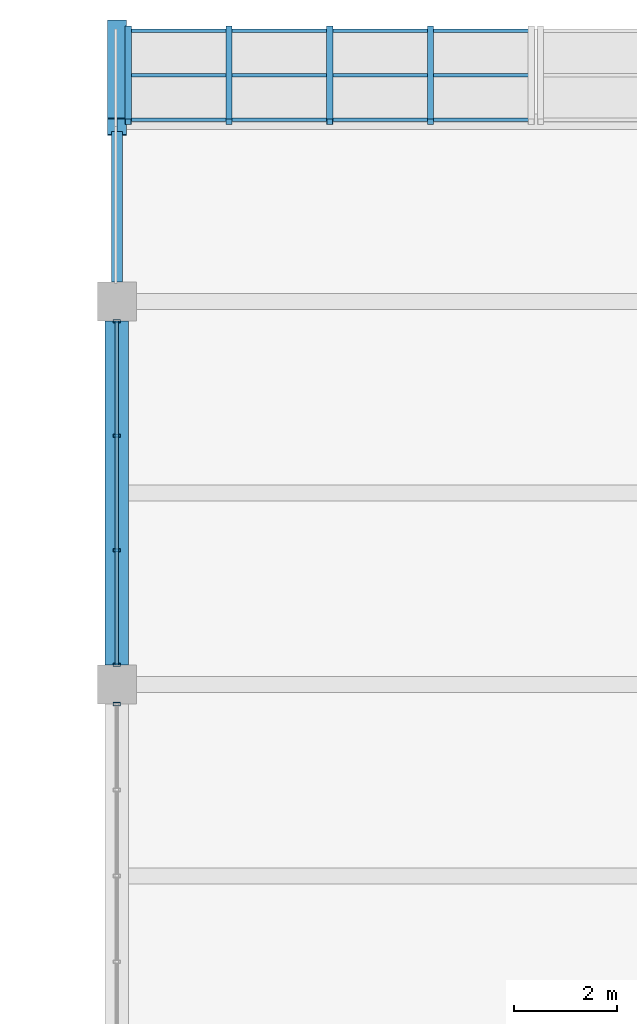
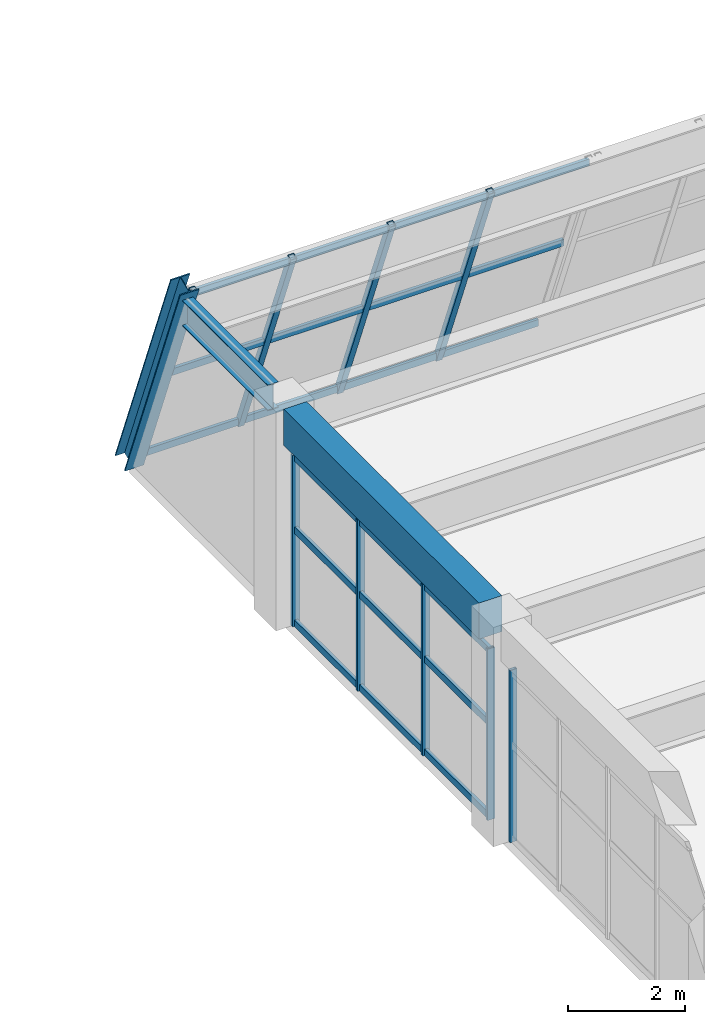
# One storey, part 102 of 161: 16 members, 2 beams, 3 elements without a shape of their own.
"""IFC4 building model written with IfcOpenShell, lengths in metres."""

from ifc_helpers import new_model, si_unit, direction, frame, origin, origin_2d, place, context, subcontext, project, spatial, rectangle, hollow_rectangle, i_section, extrude, material, material_profile, profile_set, type_object, element, aggregate, save


model = new_model("IFC4")

# Units and contexts
model_context = context("Model", 3, precision=1e-05, world=origin(), true_north=direction((0.0, 1.0)))
body_context = subcontext(model_context, "Body", "Model", "MODEL_VIEW")
ifc_project = project(units=[si_unit("LENGTHUNIT", "METRE"), si_unit("AREAUNIT", "SQUARE_METRE"), si_unit("VOLUMEUNIT", "CUBIC_METRE"), si_unit("PLANEANGLEUNIT", "RADIAN"), si_unit("MASSUNIT", "GRAM", prefix="KILO")], contexts=[model_context])

# Site, building, storey
site_placement = place(None, origin())
site = spatial("IfcSite", under=ifc_project, at=site_placement, CompositionType="ELEMENT")
building_placement = place(site_placement, origin())
building = spatial("IfcBuilding", under=site, at=building_placement, Name="Cimatlan Art Gallery", CompositionType="ELEMENT")
storey_placement = place(building_placement, frame((0.0, 0.0, 5.39990234375)))
storey = spatial("IfcBuildingStorey", under=building, at=storey_placement, Name="L01", CompositionType="ELEMENT", Elevation=5.39990234375)

# Beams
ifc_material_1 = material(Name="Concrete C40/50", Category="concrete")
ifc_material_profile_1 = material_profile(ifc_material_1, rectangle(XDim=0.449951171875, YDim=0.75, at=origin_2d()), Name="RC450X750")
ifc_profile_set_1 = profile_set([ifc_material_profile_1], Name="Concrete C40/50")
beam_type_1 = type_object("IfcBeamType", Name="BM-RC-450X750", PredefinedType="BEAM", material=ifc_profile_set_1)
beam_1_placement = place(storey_placement, frame((74.89990234375, 98.27490234375, 4.18505859375), z_axis=(0.0, 1.0, 0.0), x_axis=(-1.0, 0.0, 0.0)))
element("IfcBeam", 1, at=beam_1_placement, inside=storey, type_object=beam_type_1, Name="BM-Y-L01-09-13", PredefinedType="BEAM", context=body_context, shape_type="SweptSolid", body=[
    extrude(rectangle(XDim=0.449951171875, YDim=0.75, at=origin_2d()), origin(), (0.0, 0.0, 1.0), 6.650146484375),
])
ifc_material_2 = material(Name="Steel ASTM A992 Grade 50", Category="steel")
ifc_material_profile_2 = material_profile(ifc_material_2, i_section(OverallWidth=0.2099609375, OverallDepth=0.532958984375, WebThickness=0.01025390625, FlangeThickness=0.015625, at=origin_2d()), Name="W21X62")
ifc_profile_set_2 = profile_set([ifc_material_profile_2], Name="Steel ASTM A992 Grade 50")
beam_type_2 = type_object("IfcBeamType", Name="BM-STL-W21X62", PredefinedType="BEAM", material=ifc_profile_set_2)
beam_2_placement = place(storey_placement, frame((74.89990234375, 105.675048828125, 4.293701171875), z_axis=(0.0, 1.0, 0.0), x_axis=(-1.0, 0.0, 0.0)))
element("IfcBeam", 2, at=beam_2_placement, inside=storey, type_object=beam_type_2, Name="BM-PRW-Y-L01-B3-9", PredefinedType="BEAM", context=body_context, shape_type="SweptSolid", body=[
    extrude(i_section(OverallWidth=0.2099609375, OverallDepth=0.532958984375, WebThickness=0.01025390625, FlangeThickness=0.015625, at=origin_2d()), origin(), (0.0, 0.0, 1.0), 2.91162109375),
])

# Curtain wall, member
ifc_material_3 = material(Name="Anodised bronze unitised curtain wall")
curtain_wall_type_1 = type_object("IfcCurtainWallType", Name="CW-V-06642X03577-B4", PredefinedType="NOTDEFINED", material=ifc_material_3)
curtain_wall_1_placement = place(storey_placement, origin())
curtain_wall_1 = element("IfcCurtainWall", 3, at=curtain_wall_1_placement, inside=storey, type_object=curtain_wall_type_1, Name="CW-L01-09-12-W", PredefinedType="NOTDEFINED")
ifc_material_4 = material(Name="Anodised bronze aluminium 6063-T6", Category="aluminium")
ifc_material_profile_3 = material_profile(ifc_material_4, hollow_rectangle(XDim=0.06494140625, YDim=0.139892578125, WallThickness=0.00390625, at=origin_2d()), Name="ALU65X140X4")
ifc_profile_set_3 = profile_set([ifc_material_profile_3], Name="Anodised bronze aluminium 6063-T6")
member_type_1 = type_object("IfcMemberType", Name="CW-MUL-140", PredefinedType="MULLION", material=ifc_profile_set_3)
member_1_placement = place(storey_placement, frame((74.89990234375, 97.52099609375, 0.0), z_axis=(0.0, 0.0, 1.0), x_axis=(0.0, 1.0, 0.0)))
member_1 = element("IfcMember", 4, at=member_1_placement, type_object=member_type_1, Name="CW-L01-09-12-W-M5", PredefinedType="MULLION", context=body_context, shape_type="SweptSolid", body=[
    extrude(hollow_rectangle(XDim=0.06494140625, YDim=0.139892578125, WallThickness=0.00390625, at=origin_2d()), origin(), (0.0, 0.0, 1.0), 3.5771484375),
])
aggregate(curtain_wall_1, [member_1])

# Curtain wall, members
curtain_wall_type_2 = type_object("IfcCurtainWallType", Name="CW-V-06642X03562-B3", PredefinedType="NOTDEFINED", material=ifc_material_3)
curtain_wall_2_placement = place(storey_placement, origin())
curtain_wall_2 = element("IfcCurtainWall", 5, at=curtain_wall_2_placement, inside=storey, type_object=curtain_wall_type_2, Name="CW-L01-09-13-W", PredefinedType="NOTDEFINED")
member_2_placement = place(storey_placement, frame((74.89990234375, 98.279052734375, 0.0), z_axis=(0.0, 0.0, 1.0), x_axis=(0.0, 1.0, 0.0)))
member_2 = element("IfcMember", 6, at=member_2_placement, type_object=member_type_1, Name="CW-L01-09-13-W-M1", PredefinedType="MULLION", context=body_context, shape_type="SweptSolid", body=[
    extrude(hollow_rectangle(XDim=0.06494140625, YDim=0.139892578125, WallThickness=0.00390625, at=origin_2d()), origin(), (0.0, 0.0, 1.0), 3.56201171875),
])
member_3_placement = place(storey_placement, frame((74.89990234375, 100.492919921875, 0.0), z_axis=(0.0, 0.0, 1.0), x_axis=(0.0, 1.0, 0.0)))
member_3 = element("IfcMember", 7, at=member_3_placement, type_object=member_type_1, Name="CW-L01-09-13-W-M2", PredefinedType="MULLION", context=body_context, shape_type="SweptSolid", body=[
    extrude(hollow_rectangle(XDim=0.06494140625, YDim=0.139892578125, WallThickness=0.00390625, at=origin_2d()), origin(), (0.0, 0.0, 1.0), 3.56201171875),
])
member_4_placement = place(storey_placement, frame((74.89990234375, 102.70703125, 0.0), z_axis=(0.0, 0.0, 1.0), x_axis=(0.0, 1.0, 0.0)))
member_4 = element("IfcMember", 8, at=member_4_placement, type_object=member_type_1, Name="CW-L01-09-13-W-M3", PredefinedType="MULLION", context=body_context, shape_type="SweptSolid", body=[
    extrude(hollow_rectangle(XDim=0.06494140625, YDim=0.139892578125, WallThickness=0.00390625, at=origin_2d()), origin(), (0.0, 0.0, 1.0), 3.56201171875),
])
member_5_placement = place(storey_placement, frame((74.89990234375, 104.9208984375, 0.0), z_axis=(0.0, 0.0, 1.0), x_axis=(0.0, 1.0, 0.0)))
member_5 = element("IfcMember", 9, at=member_5_placement, type_object=member_type_1, Name="CW-L01-09-13-W-M4", PredefinedType="MULLION", context=body_context, shape_type="SweptSolid", body=[
    extrude(hollow_rectangle(XDim=0.06494140625, YDim=0.139892578125, WallThickness=0.00390625, at=origin_2d()), origin(), (0.0, 0.0, 1.0), 3.56201171875),
])

ifc_material_5 = material(Name="Raked steel-and-bronze lancet curtain wall", Category="steel")
curtain_wall_type_3 = type_object("IfcCurtainWallType", Name="CW-RAK-07790X04901-B4", PredefinedType="NOTDEFINED", material=ifc_material_5)
curtain_wall_3_placement = place(storey_placement, origin())
curtain_wall_3 = element("IfcCurtainWall", 10, at=curtain_wall_3_placement, inside=storey, type_object=curtain_wall_type_3, Name="CW-PROW-L01-B3-9", PredefinedType="NOTDEFINED")
ifc_material_6 = material(Name="Steel ASTM A500 Grade C", Category="steel")
ifc_material_profile_4 = material_profile(ifc_material_6, hollow_rectangle(XDim=0.1201171875, YDim=0.1201171875, WallThickness=0.00634765625, at=origin_2d()), Name="HSS120X120X6")
ifc_profile_set_4 = profile_set([ifc_material_profile_4], Name="Steel ASTM A500 Grade C")
member_type_2 = type_object("IfcMemberType", Name="CW-MUL-RAK", PredefinedType="MULLION", material=ifc_profile_set_4)
member_6_placement = place(storey_placement, frame((75.1201171875, 110.572998046875, 0.0), z_axis=(0.0, -0.366524518382, 0.930408392817), x_axis=(1.0, 0.0, 0.0)))
member_6 = element("IfcMember", 11, at=member_6_placement, type_object=member_type_2, Name="CW-PROW-L01-B3-9-M1", PredefinedType="MULLION", context=body_context, shape_type="SweptSolid", body=[
    extrude(hollow_rectangle(XDim=0.1201171875, YDim=0.1201171875, WallThickness=0.00634765625, at=origin_2d()), origin(), (0.0, 0.0, 1.0), 4.901123046875),
])
member_7_placement = place(storey_placement, frame((77.0673828125, 110.572998046875, 0.0), z_axis=(0.0, -0.366524518382, 0.930408392817), x_axis=(1.0, 0.0, 0.0)))
member_7 = element("IfcMember", 12, at=member_7_placement, type_object=member_type_2, Name="CW-PROW-L01-B3-9-M2", PredefinedType="MULLION", context=body_context, shape_type="SweptSolid", body=[
    extrude(hollow_rectangle(XDim=0.1201171875, YDim=0.1201171875, WallThickness=0.00634765625, at=origin_2d()), origin(), (0.0, 0.0, 1.0), 4.901123046875),
])
member_8_placement = place(storey_placement, frame((79.014892578125, 110.572998046875, 0.0), z_axis=(0.0, -0.366524518382, 0.930408392817), x_axis=(1.0, 0.0, 0.0)))
member_8 = element("IfcMember", 13, at=member_8_placement, type_object=member_type_2, Name="CW-PROW-L01-B3-9-M3", PredefinedType="MULLION", context=body_context, shape_type="SweptSolid", body=[
    extrude(hollow_rectangle(XDim=0.1201171875, YDim=0.1201171875, WallThickness=0.00634765625, at=origin_2d()), origin(), (0.0, 0.0, 1.0), 4.901123046875),
])
member_9_placement = place(storey_placement, frame((80.96240234375, 110.572998046875, 0.0), z_axis=(0.0, -0.366524518382, 0.930408392817), x_axis=(1.0, 0.0, 0.0)))
member_9 = element("IfcMember", 14, at=member_9_placement, type_object=member_type_2, Name="CW-PROW-L01-B3-9-M4", PredefinedType="MULLION", context=body_context, shape_type="SweptSolid", body=[
    extrude(hollow_rectangle(XDim=0.1201171875, YDim=0.1201171875, WallThickness=0.00634765625, at=origin_2d()), origin(), (0.0, 0.0, 1.0), 4.901123046875),
])
ifc_material_profile_5 = material_profile(ifc_material_4, hollow_rectangle(XDim=0.06494140625, YDim=0.139892578125, WallThickness=0.00390625, at=origin_2d()), Name="ALU65X140X4")
ifc_profile_set_5 = profile_set([ifc_material_profile_5], Name="Anodised bronze aluminium 6063-T6")
member_type_3 = type_object("IfcMemberType", Name="CW-TRN-140", PredefinedType="USERDEFINED", material=ifc_profile_set_5)
member_10_placement = place(storey_placement, frame((75.1201171875, 110.537109375, 0.09130859375), z_axis=(1.0, 0.0, 0.0), x_axis=(0.0, 1.0, 0.0)))
member_10 = element("IfcMember", 15, at=member_10_placement, type_object=member_type_3, Name="CW-PROW-L01-B3-9-T1", ObjectType="TRANSOM", PredefinedType="USERDEFINED", context=body_context, shape_type="SweptSolid", body=[
    extrude(hollow_rectangle(XDim=0.06494140625, YDim=0.139892578125, WallThickness=0.00390625, at=origin_2d()), origin(), (0.0, 0.0, 1.0), 7.789794921875),
])
member_11_placement = place(storey_placement, frame((75.1201171875, 109.6748046875, 2.280029296875), z_axis=(1.0, 0.0, 0.0), x_axis=(0.0, 1.0, 0.0)))
member_11 = element("IfcMember", 16, at=member_11_placement, type_object=member_type_3, Name="CW-PROW-L01-B3-9-T2", ObjectType="TRANSOM", PredefinedType="USERDEFINED", context=body_context, shape_type="SweptSolid", body=[
    extrude(hollow_rectangle(XDim=0.06494140625, YDim=0.139892578125, WallThickness=0.00390625, at=origin_2d()), origin(), (0.0, 0.0, 1.0), 7.789794921875),
])
member_12_placement = place(storey_placement, frame((75.1201171875, 108.8125, 4.468994140625), z_axis=(1.0, 0.0, 0.0), x_axis=(0.0, 1.0, 0.0)))
member_12 = element("IfcMember", 17, at=member_12_placement, type_object=member_type_3, Name="CW-PROW-L01-B3-9-T3", ObjectType="TRANSOM", PredefinedType="USERDEFINED", context=body_context, shape_type="SweptSolid", body=[
    extrude(hollow_rectangle(XDim=0.06494140625, YDim=0.139892578125, WallThickness=0.00390625, at=origin_2d()), origin(), (0.0, 0.0, 1.0), 7.789794921875),
])
aggregate(curtain_wall_3, [member_6, member_7, member_8, member_9, member_10, member_11, member_12])

# Member
member_13_placement = place(storey_placement, frame((74.89990234375, 98.279052734375, 0.06005859375), z_axis=(0.0, 1.0, 0.0), x_axis=(-1.0, 0.0, 0.0)))
member_13 = element("IfcMember", 18, at=member_13_placement, type_object=member_type_3, Name="CW-L01-09-13-W-T1", ObjectType="TRANSOM", PredefinedType="USERDEFINED", context=body_context, shape_type="SweptSolid", body=[
    extrude(hollow_rectangle(XDim=0.06494140625, YDim=0.139892578125, WallThickness=0.00390625, at=origin_2d()), origin(), (0.0, 0.0, 1.0), 6.641845703125),
])

member_14_placement = place(storey_placement, frame((74.89990234375, 98.279052734375, 1.994873046875), z_axis=(0.0, 1.0, 0.0), x_axis=(-1.0, 0.0, 0.0)))
member_14 = element("IfcMember", 19, at=member_14_placement, type_object=member_type_3, Name="CW-L01-09-13-W-T2", ObjectType="TRANSOM", PredefinedType="USERDEFINED", context=body_context, shape_type="SweptSolid", body=[
    extrude(hollow_rectangle(XDim=0.06494140625, YDim=0.139892578125, WallThickness=0.00390625, at=origin_2d()), origin(), (0.0, 0.0, 1.0), 6.641845703125),
])

member_15_placement = place(storey_placement, frame((74.89990234375, 98.279052734375, 3.502197265625), z_axis=(0.0, 1.0, 0.0), x_axis=(-1.0, 0.0, 0.0)))
member_15 = element("IfcMember", 20, at=member_15_placement, type_object=member_type_3, Name="CW-L01-09-13-W-T3", ObjectType="TRANSOM", PredefinedType="USERDEFINED", context=body_context, shape_type="SweptSolid", body=[
    extrude(hollow_rectangle(XDim=0.06494140625, YDim=0.139892578125, WallThickness=0.00390625, at=origin_2d()), origin(), (0.0, 0.0, 1.0), 6.641845703125),
])

aggregate(curtain_wall_2, [member_2, member_3, member_4, member_5, member_13, member_14, member_15])

ifc_material_profile_6 = material_profile(ifc_material_2, i_section(OverallWidth=0.37109375, OverallDepth=0.364013671875, WebThickness=0.01318359375, FlangeThickness=0.021728515625, at=origin_2d()), Name="W14X109")
ifc_profile_set_6 = profile_set([ifc_material_profile_6], Name="Steel ASTM A992 Grade 50")
member_type_4 = type_object("IfcMemberType", Name="MBR-RAK-W14X109", PredefinedType="RAFTER", material=ifc_profile_set_6)
member_16_placement = place(storey_placement, frame((74.89990234375, 110.572998046875, 0.0), z_axis=(0.0, -0.366514587358, 0.930412304978), x_axis=(1.0, 0.0, 0.0)))
element("IfcMember", 21, at=member_16_placement, inside=storey, type_object=member_type_4, Name="MBR-RAK-L01-B3-09", PredefinedType="RAFTER", context=body_context, shape_type="SweptSolid", body=[
    extrude(i_section(OverallWidth=0.37109375, OverallDepth=0.364013671875, WebThickness=0.01318359375, FlangeThickness=0.021728515625, at=origin_2d()), origin(), (0.0, 0.0, 1.0), 5.158935546875),
])

save(model, "model.ifc")
